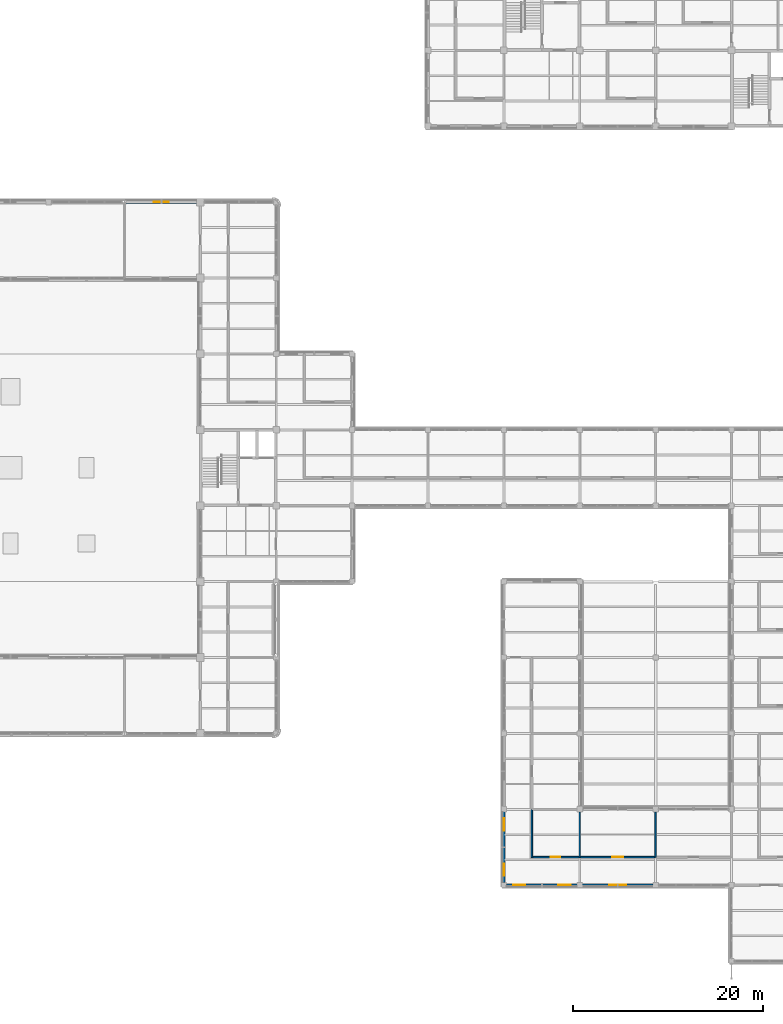
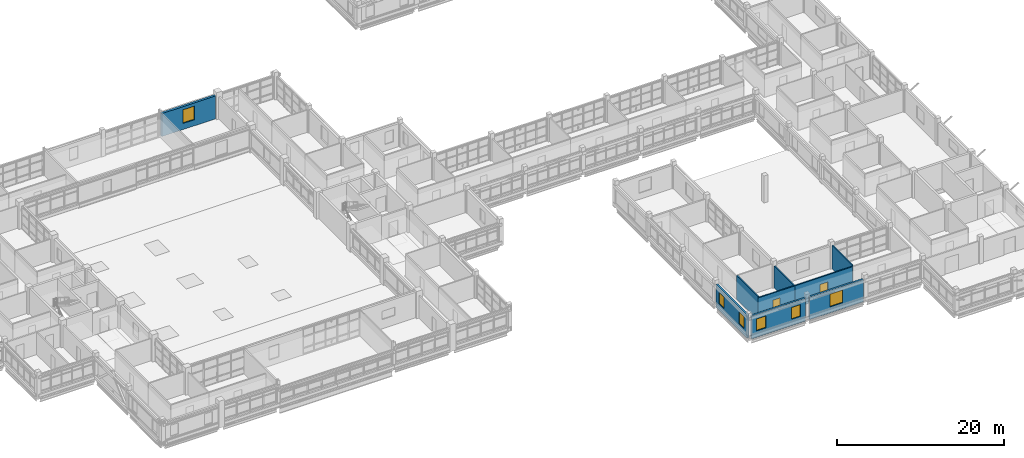
# One storey, part 82 of 107: 9 walls, 6 windows, 2 doors, 8 openings.
"""IFC4 building model written with IfcOpenShell, lengths in metres."""

from ifc_helpers import new_model, si_unit, derived_unit, direction, frame, frame_2d, origin, place, context, subcontext, project, spatial, rectangle, extrude, material, layer, layer_set, type_object, element, fill, save


model = new_model("IFC4")

# Units and contexts
model_context = context("Model", 3, precision=1e-05, world=origin(), true_north=direction((0.0, 1.0)))
body_context = subcontext(model_context, "Body", "Model", "MODEL_VIEW")
ifc_project = project(units=[si_unit("LENGTHUNIT", "METRE"), si_unit("AREAUNIT", "SQUARE_METRE"), si_unit("VOLUMEUNIT", "CUBIC_METRE"), si_unit("PLANEANGLEUNIT", "RADIAN"), si_unit("MASSUNIT", "GRAM", prefix="KILO"), derived_unit("THERMALTRANSMITTANCEUNIT", [(si_unit("MASSUNIT", "GRAM", prefix="KILO"), 1), (si_unit("TIMEUNIT", "SECOND"), -3), (si_unit("THERMODYNAMICTEMPERATUREUNIT", "KELVIN"), -1)])], contexts=[model_context])

# Site, building, storey
site_placement = place(None, origin())
site = spatial("IfcSite", under=ifc_project, at=site_placement, CompositionType="ELEMENT")
building_placement = place(site_placement, origin())
building = spatial("IfcBuilding", under=site, at=building_placement, Name="Veyamyaing Civic Hall", CompositionType="ELEMENT")
storey_placement = place(building_placement, frame((0.0, 0.0, 13.860107421875)))
storey = spatial("IfcBuildingStorey", under=building, at=storey_placement, Name="L03", CompositionType="ELEMENT", Elevation=13.860107421875)

# Wall, opening, window
ifc_material_1 = material(Name="Precast concrete C40/50", Category="concrete")
ifc_layer_1 = layer(ifc_material_1, 0.304931640625, Name="Precast concrete C40/50")
ifc_layer_set_1 = layer_set([ifc_layer_1], Name="Precast concrete C40/50")
wall_type_1 = type_object("IfcWallType", Name="WT-03", PredefinedType="SOLIDWALL", material=ifc_layer_set_1)
wall_1_placement = place(storey_placement, frame((96.16943359375, 80.0, 0.0), z_axis=(0.0, 0.0, 1.0), x_axis=(1.0, 0.0, 0.0)))
wall_1 = element("IfcWall", 1, at=wall_1_placement, inside=storey, type_object=wall_type_1, Name="Exterior facade wall WT-03 L03 N 13.10", PredefinedType="SOLIDWALL", context=body_context, shape_type="SweptSolid", body=[
    extrude(rectangle(XDim=7.445556640625, YDim=0.304931640625, at=frame_2d((3.72265625, 0.0))), origin(), (0.0, 0.0, 1.0), 3.35888671875),
])
opening_1_placement = place(wall_1_placement, frame((2.922607421875, 0.0, 0.89990234375)))
opening_1 = element("IfcOpeningElement", 2, at=opening_1_placement, cuts=wall_1, Name="Opening W-11", PredefinedType="OPENING", context=body_context, shape_type="SweptSolid", body=[
    extrude(rectangle(XDim=1.60009765625, YDim=2.0, at=frame_2d((0.800048828125, 1.0))), frame((0.0, 0.162353515625, 0.0), z_axis=(0.0, -1.0, 0.0), x_axis=(1.0, 0.0, 0.0)), (0.0, 0.0, 1.0), 0.324951171875),
])
ifc_material_2 = material(Name="Low-E insulated glass", Category="glass")
window_type_1 = type_object("IfcWindowType", Name="W-11", PartitioningType="SINGLE_PANEL", PredefinedType="WINDOW", material=ifc_material_2)
window_1_placement = place(opening_1_placement, origin())
window_1 = element("IfcWindow", 3, at=window_1_placement, inside=storey, type_object=window_type_1, Name="Facade window W-11 L03 N 13.10", OverallHeight=2.0, OverallWidth=1.60009765625, PartitioningType="SINGLE_PANEL", PredefinedType="WINDOW", context=body_context, shape_type="SweptSolid", body=[
    extrude(rectangle(XDim=1.60009765625, YDim=2.0, at=frame_2d((0.800048828125, 1.0))), frame((0.0, 0.030029296875, 0.0), z_axis=(0.0, -1.0, 0.0), x_axis=(1.0, 0.0, 0.0)), (0.0, 0.0, 1.0), 0.06005859375),
])
fill(opening_1, window_1)

# Wall, opening, door
ifc_material_3 = material(Name="Gypsum board on acoustic steel stud", Category="steel")
ifc_layer_2 = layer(ifc_material_3, 0.175048828125, Name="Gypsum board on acoustic steel stud")
ifc_layer_set_2 = layer_set([ifc_layer_2], Name="Gypsum board on acoustic steel stud")
wall_type_2 = type_object("IfcWallType", Name="WT-07", PredefinedType="PARTITIONING", material=ifc_layer_set_2)
wall_2_placement = place(storey_placement, frame((138.89990234375, 10.949951171875, 0.0), z_axis=(0.0, 0.0, 1.0), x_axis=(1.0, 0.0, 0.0)))
wall_2 = element("IfcWall", 4, at=wall_2_placement, inside=storey, type_object=wall_type_2, Name="Corridor gallery partition WT-07 L03.39.1", PredefinedType="PARTITIONING", context=body_context, shape_type="SweptSolid", body=[
    extrude(rectangle(XDim=5.080078125, YDim=0.175048828125, at=frame_2d((2.5400390625, 0.0))), origin(), (0.0, 0.0, 1.0), 3.247802734375),
])
opening_2_placement = place(wall_2_placement, frame((2.030029296875, 0.0, 0.0)))
opening_2 = element("IfcOpeningElement", 5, at=opening_2_placement, cuts=wall_2, Name="Opening D-19", PredefinedType="OPENING", context=body_context, shape_type="SweptSolid", body=[
    extrude(rectangle(XDim=1.02001953125, YDim=2.199951171875, at=frame_2d((0.510009765625, 1.10009765625))), frame((0.0, 0.097412109375, 0.0), z_axis=(0.0, -1.0, 0.0), x_axis=(1.0, 0.0, 0.0)), (0.0, 0.0, 1.0), 0.195068359375),
])
ifc_material_4 = material(Name="Teak-veneered acoustic timber", Category="wood")
door_type_1 = type_object("IfcDoorType", Name="D-19", OperationType="NOTDEFINED", PredefinedType="DOOR", material=ifc_material_4)
door_1_placement = place(opening_2_placement, origin())
door_1 = element("IfcDoor", 6, at=door_1_placement, inside=storey, type_object=door_type_1, Name="Gallery office door D-19 L03.39", OperationType="SINGLE_SWING_LEFT", OverallHeight=2.199951171875, OverallWidth=1.02001953125, PredefinedType="DOOR", context=body_context, shape_type="SweptSolid", body=[
    extrude(rectangle(XDim=1.02001953125, YDim=2.199951171875, at=frame_2d((0.510009765625, 1.10009765625))), frame((0.0, 0.02490234375, 0.0), z_axis=(0.0, -1.0, 0.0), x_axis=(1.0, 0.0, 0.0)), (0.0, 0.0, 1.0), 0.050048828125),
])
fill(opening_2, door_1)

# Wall
wall_3_placement = place(storey_placement, frame((138.949951171875, 10.89990234375, 0.0), z_axis=(0.0, 0.0, 1.0), x_axis=(0.0, 1.0, 0.0)))
element("IfcWall", 7, at=wall_3_placement, inside=storey, type_object=wall_type_2, Name="Corridor gallery partition WT-07 L03.39.2", PredefinedType="PARTITIONING", context=body_context, shape_type="SweptSolid", body=[
    extrude(rectangle(XDim=5.080078125, YDim=0.175048828125, at=frame_2d((2.5400390625, 0.0))), origin(), (0.0, 0.0, 1.0), 3.44677734375),
])

# Wall, opening, door
wall_4_placement = place(storey_placement, frame((144.02001953125, 10.949951171875, 0.0), z_axis=(0.0, 0.0, 1.0), x_axis=(1.0, 0.0, 0.0)))
wall_4 = element("IfcWall", 8, at=wall_4_placement, inside=storey, type_object=wall_type_2, Name="Corridor gallery partition WT-07 L03.43.1", PredefinedType="PARTITIONING", context=body_context, shape_type="SweptSolid", body=[
    extrude(rectangle(XDim=7.9599609375, YDim=0.175048828125, at=frame_2d((3.97998046875, 0.0))), origin(), (0.0, 0.0, 1.0), 3.247802734375),
])
opening_3_placement = place(wall_4_placement, frame((3.419921875, 0.0, 0.0)))
opening_3 = element("IfcOpeningElement", 9, at=opening_3_placement, cuts=wall_4, Name="Opening D-26", PredefinedType="OPENING", context=body_context, shape_type="SweptSolid", body=[
    extrude(rectangle(XDim=1.1201171875, YDim=2.219970703125, at=frame_2d((0.56005859375, 1.10986328125))), frame((0.0, 0.097412109375, 0.0), z_axis=(0.0, -1.0, 0.0), x_axis=(1.0, 0.0, 0.0)), (0.0, 0.0, 1.0), 0.195068359375),
])
door_type_2 = type_object("IfcDoorType", Name="D-26", OperationType="NOTDEFINED", PredefinedType="DOOR", material=ifc_material_4)
door_2_placement = place(opening_3_placement, origin())
door_2 = element("IfcDoor", 10, at=door_2_placement, inside=storey, type_object=door_type_2, Name="Gallery office door D-26 L03.43", OperationType="SINGLE_SWING_LEFT", OverallHeight=2.219970703125, OverallWidth=1.1201171875, PredefinedType="DOOR", context=body_context, shape_type="SweptSolid", body=[
    extrude(rectangle(XDim=1.1201171875, YDim=2.219970703125, at=frame_2d((0.56005859375, 1.10986328125))), frame((0.0, 0.02490234375, 0.0), z_axis=(0.0, -1.0, 0.0), x_axis=(1.0, 0.0, 0.0)), (0.0, 0.0, 1.0), 0.050048828125),
])
fill(opening_3, door_2)

# Walls
ifc_material_5 = material(Name="Gypsum board on steel stud", Category="steel")
ifc_layer_3 = layer(ifc_material_5, 0.14990234375, Name="Gypsum board on steel stud")
ifc_layer_set_3 = layer_set([ifc_layer_3], Name="Gypsum board on steel stud")
wall_type_3 = type_object("IfcWallType", Name="WT-08", PredefinedType="PARTITIONING", material=ifc_layer_set_3)
wall_5_placement = place(storey_placement, frame((144.0, 10.949951171875, 0.0), z_axis=(0.0, 0.0, 1.0), x_axis=(0.0, 1.0, 0.0)))
element("IfcWall", 11, at=wall_5_placement, inside=storey, type_object=wall_type_3, Name="Gallery office end partition WT-08 L03.39.2", PredefinedType="PARTITIONING", context=body_context, shape_type="SweptSolid", body=[
    extrude(rectangle(XDim=4.76513671875, YDim=0.14990234375, at=frame_2d((2.382568359375, 0.0))), origin(), (0.0, 0.0, 1.0), 3.247802734375),
])
wall_6_placement = place(storey_placement, frame((152.0, 10.949951171875, 0.0), z_axis=(0.0, 0.0, 1.0), x_axis=(0.0, 1.0, 0.0)))
element("IfcWall", 12, at=wall_6_placement, inside=storey, type_object=wall_type_3, Name="Gallery office end partition WT-08 L03.43.2", PredefinedType="PARTITIONING", context=body_context, shape_type="SweptSolid", body=[
    extrude(rectangle(XDim=4.76513671875, YDim=0.14990234375, at=frame_2d((2.382568359375, 0.0))), origin(), (0.0, 0.0, 1.0), 3.451904296875),
])

# Wall, openings, windows
ifc_layer_4 = layer(ifc_material_1, 0.27001953125, Name="Precast concrete C40/50")
ifc_layer_set_4 = layer_set([ifc_layer_4], Name="Precast concrete C40/50")
wall_type_4 = type_object("IfcWallType", Name="WT-18", PredefinedType="SOLIDWALL", material=ifc_layer_set_4)
wall_7_placement = place(storey_placement, frame((136.260009765625, 8.0, 0.0), z_axis=(0.0, 0.0, 1.0), x_axis=(1.0, 0.0, 0.0)))
wall_7 = element("IfcWall", 13, at=wall_7_placement, inside=storey, type_object=wall_type_4, Name="Exterior facade wall WT-18 L03 S 18.2", PredefinedType="SOLIDWALL", context=body_context, shape_type="SweptSolid", body=[
    extrude(rectangle(XDim=7.47998046875, YDim=0.27001953125, at=frame_2d((3.739990234375, 0.0))), origin(), (0.0, 0.0, 1.0), 3.35888671875),
])
opening_4_placement = place(wall_7_placement, frame((0.706298828125, 0.0, 0.949951171875)))
opening_4 = element("IfcOpeningElement", 14, at=opening_4_placement, cuts=wall_7, Name="Opening W-31", PredefinedType="OPENING", context=body_context, shape_type="SweptSolid", body=[
    extrude(rectangle(XDim=1.280029296875, YDim=1.719970703125, at=frame_2d((0.64013671875, 0.85986328125))), frame((0.0, 0.14501953125, 0.0), z_axis=(0.0, -1.0, 0.0), x_axis=(1.0, 0.0, 0.0)), (0.0, 0.0, 1.0), 0.2900390625),
])
opening_5_placement = place(wall_7_placement, frame((5.49365234375, 0.0, 0.949951171875)))
opening_5 = element("IfcOpeningElement", 15, at=opening_5_placement, cuts=wall_7, Name="Opening W-31", PredefinedType="OPENING", context=body_context, shape_type="SweptSolid", body=[
    extrude(rectangle(XDim=1.280029296875, YDim=1.719970703125, at=frame_2d((0.64013671875, 0.85986328125))), frame((0.0, 0.14501953125, 0.0), z_axis=(0.0, -1.0, 0.0), x_axis=(1.0, 0.0, 0.0)), (0.0, 0.0, 1.0), 0.2900390625),
])
window_type_2 = type_object("IfcWindowType", Name="W-31", PartitioningType="SINGLE_PANEL", PredefinedType="WINDOW", material=ifc_material_2)
window_2_placement = place(opening_4_placement, origin())
window_2 = element("IfcWindow", 16, at=window_2_placement, inside=storey, type_object=window_type_2, Name="Facade window W-31 L03 S 18.2.1", OverallHeight=1.719970703125, OverallWidth=1.280029296875, PartitioningType="SINGLE_PANEL", PredefinedType="WINDOW", context=body_context, shape_type="SweptSolid", body=[
    extrude(rectangle(XDim=1.280029296875, YDim=1.719970703125, at=frame_2d((0.64013671875, 0.85986328125))), frame((0.0, 0.030029296875, 0.0), z_axis=(0.0, -1.0, 0.0), x_axis=(1.0, 0.0, 0.0)), (0.0, 0.0, 1.0), 0.06005859375),
])
fill(opening_4, window_2)
window_3_placement = place(opening_5_placement, origin())
window_3 = element("IfcWindow", 17, at=window_3_placement, inside=storey, type_object=window_type_2, Name="Facade window W-31 L03 S 18.2.2", OverallHeight=1.719970703125, OverallWidth=1.280029296875, PartitioningType="SINGLE_PANEL", PredefinedType="WINDOW", context=body_context, shape_type="SweptSolid", body=[
    extrude(rectangle(XDim=1.280029296875, YDim=1.719970703125, at=frame_2d((0.64013671875, 0.85986328125))), frame((0.0, 0.030029296875, 0.0), z_axis=(0.0, -1.0, 0.0), x_axis=(1.0, 0.0, 0.0)), (0.0, 0.0, 1.0), 0.06005859375),
])
fill(opening_5, window_3)

wall_8_placement = place(storey_placement, frame((136.0, 8.260009765625, 0.0), z_axis=(0.0, 0.0, 1.0), x_axis=(0.0, 1.0, 0.0)))
wall_8 = element("IfcWall", 18, at=wall_8_placement, inside=storey, type_object=wall_type_4, Name="Exterior facade wall WT-18 L03 W 18.2", PredefinedType="SOLIDWALL", context=body_context, shape_type="SweptSolid", body=[
    extrude(rectangle(XDim=7.47998046875, YDim=0.27001953125, at=frame_2d((3.739990234375, 0.0))), origin(), (0.0, 0.0, 1.0), 3.35888671875),
])
opening_6_placement = place(wall_8_placement, frame((0.706298828125, 0.0, 0.949951171875)))
opening_6 = element("IfcOpeningElement", 19, at=opening_6_placement, cuts=wall_8, Name="Opening W-31", PredefinedType="OPENING", context=body_context, shape_type="SweptSolid", body=[
    extrude(rectangle(XDim=1.280029296875, YDim=1.719970703125, at=frame_2d((0.64013671875, 0.85986328125))), frame((0.0, 0.14501953125, 0.0), z_axis=(0.0, -1.0, 0.0), x_axis=(1.0, 0.0, 0.0)), (0.0, 0.0, 1.0), 0.2900390625),
])
opening_7_placement = place(wall_8_placement, frame((5.49365234375, 0.0, 0.949951171875)))
opening_7 = element("IfcOpeningElement", 20, at=opening_7_placement, cuts=wall_8, Name="Opening W-31", PredefinedType="OPENING", context=body_context, shape_type="SweptSolid", body=[
    extrude(rectangle(XDim=1.280029296875, YDim=1.719970703125, at=frame_2d((0.64013671875, 0.85986328125))), frame((0.0, 0.14501953125, 0.0), z_axis=(0.0, -1.0, 0.0), x_axis=(1.0, 0.0, 0.0)), (0.0, 0.0, 1.0), 0.2900390625),
])
window_4_placement = place(opening_6_placement, origin())
window_4 = element("IfcWindow", 21, at=window_4_placement, inside=storey, type_object=window_type_2, Name="Facade window W-31 L03 W 18.2.1", OverallHeight=1.719970703125, OverallWidth=1.280029296875, PartitioningType="SINGLE_PANEL", PredefinedType="WINDOW", context=body_context, shape_type="SweptSolid", body=[
    extrude(rectangle(XDim=1.280029296875, YDim=1.719970703125, at=frame_2d((0.64013671875, 0.85986328125))), frame((0.0, 0.030029296875, 0.0), z_axis=(0.0, -1.0, 0.0), x_axis=(1.0, 0.0, 0.0)), (0.0, 0.0, 1.0), 0.06005859375),
])
fill(opening_6, window_4)
window_5_placement = place(opening_7_placement, origin())
window_5 = element("IfcWindow", 22, at=window_5_placement, inside=storey, type_object=window_type_2, Name="Facade window W-31 L03 W 18.2.2", OverallHeight=1.719970703125, OverallWidth=1.280029296875, PartitioningType="SINGLE_PANEL", PredefinedType="WINDOW", context=body_context, shape_type="SweptSolid", body=[
    extrude(rectangle(XDim=1.280029296875, YDim=1.719970703125, at=frame_2d((0.64013671875, 0.85986328125))), frame((0.0, 0.030029296875, 0.0), z_axis=(0.0, -1.0, 0.0), x_axis=(1.0, 0.0, 0.0)), (0.0, 0.0, 1.0), 0.06005859375),
])
fill(opening_7, window_5)

# Wall, opening, window
wall_9_placement = place(storey_placement, frame((144.260009765625, 8.0, 0.0), z_axis=(0.0, 0.0, 1.0), x_axis=(1.0, 0.0, 0.0)))
wall_9 = element("IfcWall", 23, at=wall_9_placement, inside=storey, type_object=wall_type_4, Name="Exterior facade wall WT-18 L03 S 19.2", PredefinedType="SOLIDWALL", context=body_context, shape_type="SweptSolid", body=[
    extrude(rectangle(XDim=7.47998046875, YDim=0.27001953125, at=frame_2d((3.739990234375, 0.0))), origin(), (0.0, 0.0, 1.0), 3.303955078125),
])
opening_8_placement = place(wall_9_placement, frame((2.864990234375, 0.0, 0.89990234375)))
opening_8 = element("IfcOpeningElement", 24, at=opening_8_placement, cuts=wall_9, Name="Opening W-28", PredefinedType="OPENING", context=body_context, shape_type="SweptSolid", body=[
    extrude(rectangle(XDim=1.75, YDim=1.85009765625, at=frame_2d((0.875, 0.925048828125))), frame((0.0, 0.14501953125, 0.0), z_axis=(0.0, -1.0, 0.0), x_axis=(1.0, 0.0, 0.0)), (0.0, 0.0, 1.0), 0.2900390625),
])
window_type_3 = type_object("IfcWindowType", Name="W-28", PartitioningType="SINGLE_PANEL", PredefinedType="WINDOW", material=ifc_material_2)
window_6_placement = place(opening_8_placement, origin())
window_6 = element("IfcWindow", 25, at=window_6_placement, inside=storey, type_object=window_type_3, Name="Facade window W-28 L03 S 19.2", OverallHeight=1.85009765625, OverallWidth=1.75, PartitioningType="SINGLE_PANEL", PredefinedType="WINDOW", context=body_context, shape_type="SweptSolid", body=[
    extrude(rectangle(XDim=1.75, YDim=1.85009765625, at=frame_2d((0.875, 0.925048828125))), frame((0.0, 0.030029296875, 0.0), z_axis=(0.0, -1.0, 0.0), x_axis=(1.0, 0.0, 0.0)), (0.0, 0.0, 1.0), 0.06005859375),
])
fill(opening_8, window_6)

save(model, "model.ifc")
